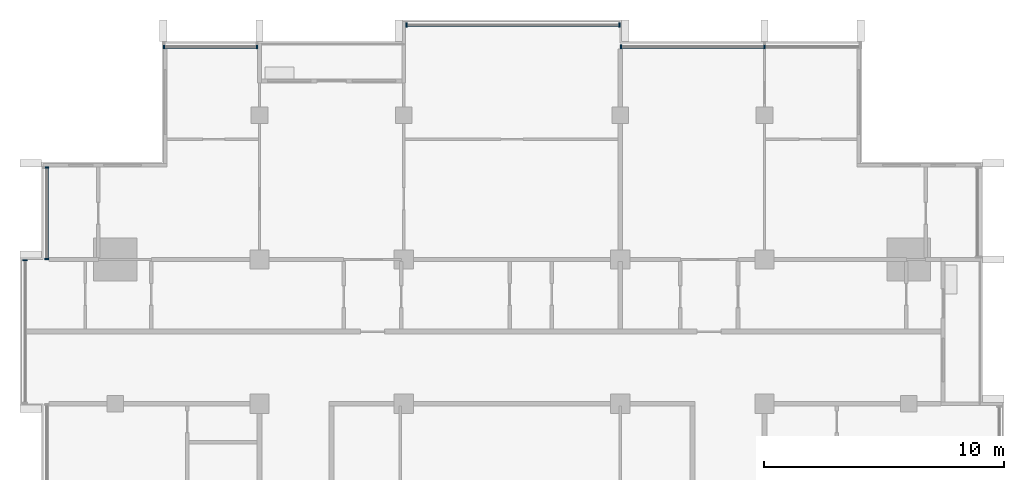
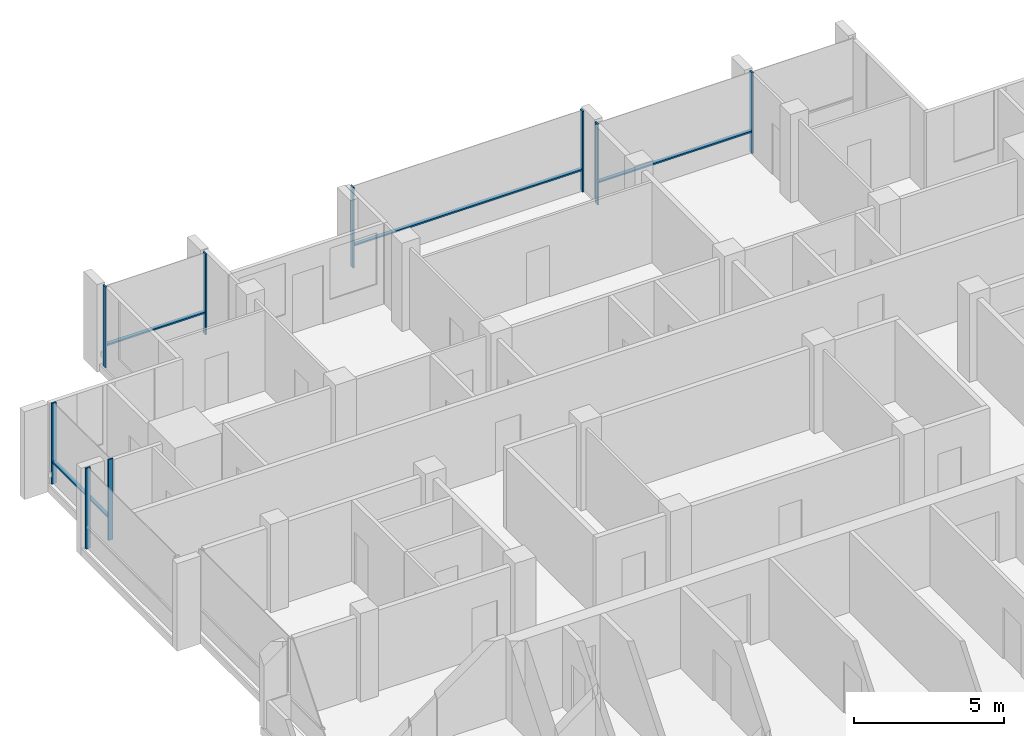
# One storey, part 4 of 16: 13 members, 5 elements without a shape of their own.
"""IFC4 building model written with IfcOpenShell, lengths in metres."""

from ifc_helpers import new_model, si_unit, direction, frame, origin, origin_2d, place, context, subcontext, project, spatial, rectangle, extrude, material, material_profile, profile_set, type_object, element, aggregate, save


model = new_model("IFC4")

# Units and contexts
model_context = context("Model", 3, precision=1e-05, world=origin(), true_north=direction((0.0, 1.0)))
body_context = subcontext(model_context, "Body", "Model", "MODEL_VIEW")
ifc_project = project(units=[si_unit("LENGTHUNIT", "METRE"), si_unit("AREAUNIT", "SQUARE_METRE"), si_unit("VOLUMEUNIT", "CUBIC_METRE"), si_unit("PLANEANGLEUNIT", "RADIAN"), si_unit("MASSUNIT", "GRAM", prefix="KILO")], contexts=[model_context])

# Site, building, storey
site_placement = place(None, origin())
site = spatial("IfcSite", under=ifc_project, at=site_placement, CompositionType="ELEMENT")
building_placement = place(site_placement, origin())
building = spatial("IfcBuilding", under=site, at=building_placement, Name="Finial Court Residences", CompositionType="ELEMENT")
storey_placement = place(building_placement, frame((0.0, 0.0, 280.699951171875)))
storey = spatial("IfcBuildingStorey", under=building, at=storey_placement, Name="L71", CompositionType="ELEMENT", Elevation=280.699951171875)

# Curtain wall, members
ifc_material = material(Name="Bronze anodised aluminium", Category="aluminium")
curtain_wall_type = type_object("IfcCurtainWallType", Name="Unitised curtain wall, upper zones", PredefinedType="NOTDEFINED", material=ifc_material)
curtain_wall_1_placement = place(storey_placement, origin())
curtain_wall_1 = element("IfcCurtainWall", 1, at=curtain_wall_1_placement, inside=storey, type_object=curtain_wall_type, Name="E-L71-CW-N1", PredefinedType="NOTDEFINED")
ifc_material_profile_1 = material_profile(ifc_material, rectangle(XDim=0.175048828125, YDim=0.06005859375, at=origin_2d()), Name="CW2 mullion 60 x 175")
ifc_profile_set_1 = profile_set([ifc_material_profile_1], Name="Bronze anodised aluminium")
member_type_1 = type_object("IfcMemberType", Name="CW2 mullion 60 x 175", PredefinedType="MULLION", material=ifc_profile_set_1)
member_1_placement = place(storey_placement, frame((-14.469970703125, 16.35009765625, 0.0), z_axis=(0.0, 0.0, 1.0), x_axis=(0.0, 1.0, 0.0)))
member_1 = element("IfcMember", 2, at=member_1_placement, type_object=member_type_1, Name="CW2 mullion 1", PredefinedType="MULLION", context=body_context, shape_type="SweptSolid", body=[
    extrude(rectangle(XDim=0.175048828125, YDim=0.06005859375, at=origin_2d()), origin(), (0.0, 0.0, 1.0), 3.300048828125),
])
member_2_placement = place(storey_placement, frame((-10.60498046875, 16.35009765625, 0.0), z_axis=(0.0, 0.0, 1.0), x_axis=(0.0, 1.0, 0.0)))
member_2 = element("IfcMember", 3, at=member_2_placement, type_object=member_type_1, Name="CW2 mullion 2", PredefinedType="MULLION", context=body_context, shape_type="SweptSolid", body=[
    extrude(rectangle(XDim=0.175048828125, YDim=0.06005859375, at=origin_2d()), origin(), (0.0, 0.0, 1.0), 3.300048828125),
])

curtain_wall_2_placement = place(storey_placement, origin())
curtain_wall_2 = element("IfcCurtainWall", 4, at=curtain_wall_2_placement, inside=storey, type_object=curtain_wall_type, Name="E-L71-CW-N2", PredefinedType="NOTDEFINED")
member_3_placement = place(storey_placement, frame((-4.39501953125, 17.25, 0.0), z_axis=(0.0, 0.0, 1.0), x_axis=(0.0, 1.0, 0.0)))
member_3 = element("IfcMember", 5, at=member_3_placement, type_object=member_type_1, Name="CW2 mullion 1", PredefinedType="MULLION", context=body_context, shape_type="SweptSolid", body=[
    extrude(rectangle(XDim=0.175048828125, YDim=0.06005859375, at=origin_2d()), origin(), (0.0, 0.0, 1.0), 3.300048828125),
])
member_4_placement = place(storey_placement, frame((4.469970703125, 17.25, 0.0), z_axis=(0.0, 0.0, 1.0), x_axis=(0.0, 1.0, 0.0)))
member_4 = element("IfcMember", 6, at=member_4_placement, type_object=member_type_1, Name="CW2 mullion 2", PredefinedType="MULLION", context=body_context, shape_type="SweptSolid", body=[
    extrude(rectangle(XDim=0.175048828125, YDim=0.06005859375, at=origin_2d()), origin(), (0.0, 0.0, 1.0), 3.300048828125),
])

curtain_wall_3_placement = place(storey_placement, origin())
curtain_wall_3 = element("IfcCurtainWall", 7, at=curtain_wall_3_placement, inside=storey, type_object=curtain_wall_type, Name="E-L71-CW-N3", PredefinedType="NOTDEFINED")
member_5_placement = place(storey_placement, frame((4.530029296875, 16.35009765625, 0.0), z_axis=(0.0, 0.0, 1.0), x_axis=(0.0, 1.0, 0.0)))
member_5 = element("IfcMember", 8, at=member_5_placement, type_object=member_type_1, Name="CW2 mullion 1", PredefinedType="MULLION", context=body_context, shape_type="SweptSolid", body=[
    extrude(rectangle(XDim=0.175048828125, YDim=0.06005859375, at=origin_2d()), origin(), (0.0, 0.0, 1.0), 3.300048828125),
])
member_6_placement = place(storey_placement, frame((10.5, 16.35009765625, 0.0), z_axis=(0.0, 0.0, 1.0), x_axis=(0.0, 1.0, 0.0)))
member_6 = element("IfcMember", 9, at=member_6_placement, type_object=member_type_1, Name="CW2 mullion 2", PredefinedType="MULLION", context=body_context, shape_type="SweptSolid", body=[
    extrude(rectangle(XDim=0.175048828125, YDim=0.06005859375, at=origin_2d()), origin(), (0.0, 0.0, 1.0), 3.300048828125),
])

# Curtain wall, member
curtain_wall_4_placement = place(storey_placement, origin())
curtain_wall_4 = element("IfcCurtainWall", 10, at=curtain_wall_4_placement, inside=storey, type_object=curtain_wall_type, Name="E-L71-CW-W10", PredefinedType="NOTDEFINED")
member_7_placement = place(storey_placement, frame((-20.25, 7.469970703125, 0.0), z_axis=(0.0, 0.0, 1.0), x_axis=(-1.0, 0.0, 0.0)))
member_7 = element("IfcMember", 11, at=member_7_placement, type_object=member_type_1, Name="CW2 mullion 2", PredefinedType="MULLION", context=body_context, shape_type="SweptSolid", body=[
    extrude(rectangle(XDim=0.175048828125, YDim=0.06005859375, at=origin_2d()), origin(), (0.0, 0.0, 1.0), 3.300048828125),
])
aggregate(curtain_wall_4, [member_7])

# Curtain wall, members
curtain_wall_5_placement = place(storey_placement, origin())
curtain_wall_5 = element("IfcCurtainWall", 12, at=curtain_wall_5_placement, inside=storey, type_object=curtain_wall_type, Name="E-L71-CW-W11", PredefinedType="NOTDEFINED")
member_8_placement = place(storey_placement, frame((-19.35009765625, 7.530029296875, 0.0), z_axis=(0.0, 0.0, 1.0), x_axis=(-1.0, 0.0, 0.0)))
member_8 = element("IfcMember", 13, at=member_8_placement, type_object=member_type_1, Name="CW2 mullion 1", PredefinedType="MULLION", context=body_context, shape_type="SweptSolid", body=[
    extrude(rectangle(XDim=0.175048828125, YDim=0.06005859375, at=origin_2d()), origin(), (0.0, 0.0, 1.0), 3.300048828125),
])
member_9_placement = place(storey_placement, frame((-19.35009765625, 11.320068359375, 0.0), z_axis=(0.0, 0.0, 1.0), x_axis=(-1.0, 0.0, 0.0)))
member_9 = element("IfcMember", 14, at=member_9_placement, type_object=member_type_1, Name="CW2 mullion 2", PredefinedType="MULLION", context=body_context, shape_type="SweptSolid", body=[
    extrude(rectangle(XDim=0.175048828125, YDim=0.06005859375, at=origin_2d()), origin(), (0.0, 0.0, 1.0), 3.300048828125),
])

# Member
ifc_material_profile_2 = material_profile(ifc_material, rectangle(XDim=0.139892578125, YDim=0.06005859375, at=origin_2d()), Name="CW2 transom 60 x 140")
ifc_profile_set_2 = profile_set([ifc_material_profile_2], Name="Bronze anodised aluminium")
member_type_2 = type_object("IfcMemberType", Name="CW2 transom 60 x 140", PredefinedType="USERDEFINED", material=ifc_profile_set_2)
member_10_placement = place(storey_placement, frame((-14.43994140625, 16.35009765625, 0.900146484375), z_axis=(1.0, 0.0, 0.0), x_axis=(0.0, 1.0, 0.0)))
member_10 = element("IfcMember", 15, at=member_10_placement, type_object=member_type_2, Name="CW2 transom 1.1", ObjectType="TRANSOM", PredefinedType="USERDEFINED", context=body_context, shape_type="SweptSolid", body=[
    extrude(rectangle(XDim=0.139892578125, YDim=0.06005859375, at=origin_2d()), origin(), (0.0, 0.0, 1.0), 3.804931640625),
])

aggregate(curtain_wall_1, [member_1, member_2, member_10])

member_11_placement = place(storey_placement, frame((-4.364990234375, 17.25, 0.900146484375), z_axis=(1.0, 0.0, 0.0), x_axis=(0.0, 1.0, 0.0)))
member_11 = element("IfcMember", 16, at=member_11_placement, type_object=member_type_2, Name="CW2 transom 1.1", ObjectType="TRANSOM", PredefinedType="USERDEFINED", context=body_context, shape_type="SweptSolid", body=[
    extrude(rectangle(XDim=0.139892578125, YDim=0.06005859375, at=origin_2d()), origin(), (0.0, 0.0, 1.0), 8.804931640625),
])

aggregate(curtain_wall_2, [member_3, member_4, member_11])

member_12_placement = place(storey_placement, frame((4.56005859375, 16.35009765625, 0.900146484375), z_axis=(1.0, 0.0, 0.0), x_axis=(0.0, 1.0, 0.0)))
member_12 = element("IfcMember", 17, at=member_12_placement, type_object=member_type_2, Name="CW2 transom 1.1", ObjectType="TRANSOM", PredefinedType="USERDEFINED", context=body_context, shape_type="SweptSolid", body=[
    extrude(rectangle(XDim=0.139892578125, YDim=0.06005859375, at=origin_2d()), origin(), (0.0, 0.0, 1.0), 5.909912109375),
])

aggregate(curtain_wall_3, [member_5, member_6, member_12])

member_13_placement = place(storey_placement, frame((-19.35009765625, 7.56005859375, 0.900146484375), z_axis=(0.0, 1.0, 0.0), x_axis=(-1.0, 0.0, 0.0)))
member_13 = element("IfcMember", 18, at=member_13_placement, type_object=member_type_2, Name="CW2 transom 1.1", ObjectType="TRANSOM", PredefinedType="USERDEFINED", context=body_context, shape_type="SweptSolid", body=[
    extrude(rectangle(XDim=0.139892578125, YDim=0.06005859375, at=origin_2d()), origin(), (0.0, 0.0, 1.0), 3.72998046875),
])

aggregate(curtain_wall_5, [member_8, member_9, member_13])

save(model, "model.ifc")
